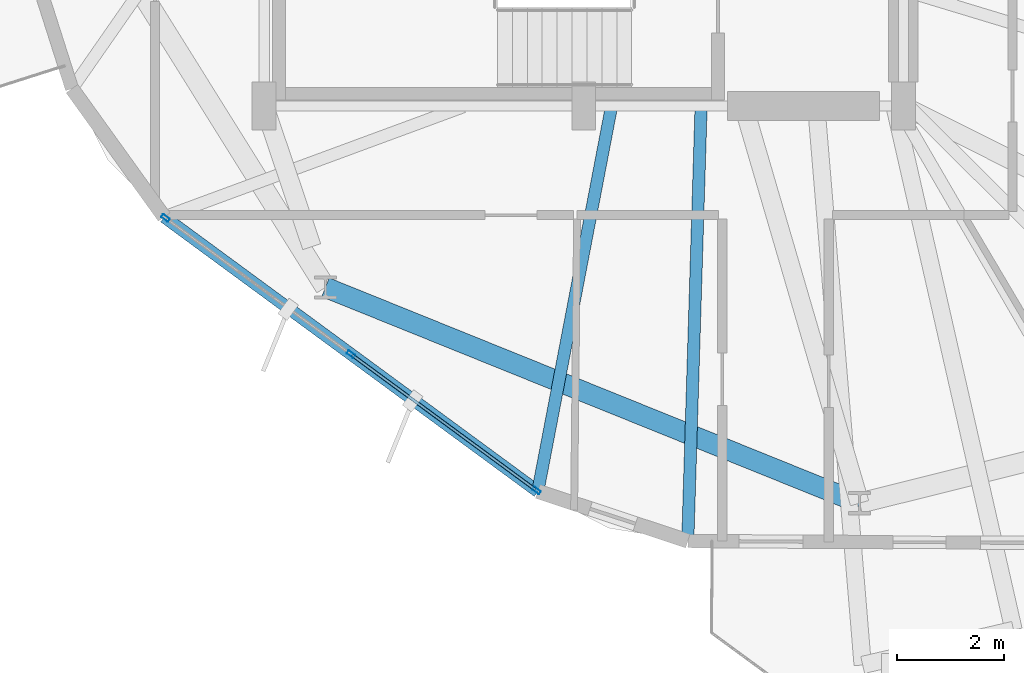
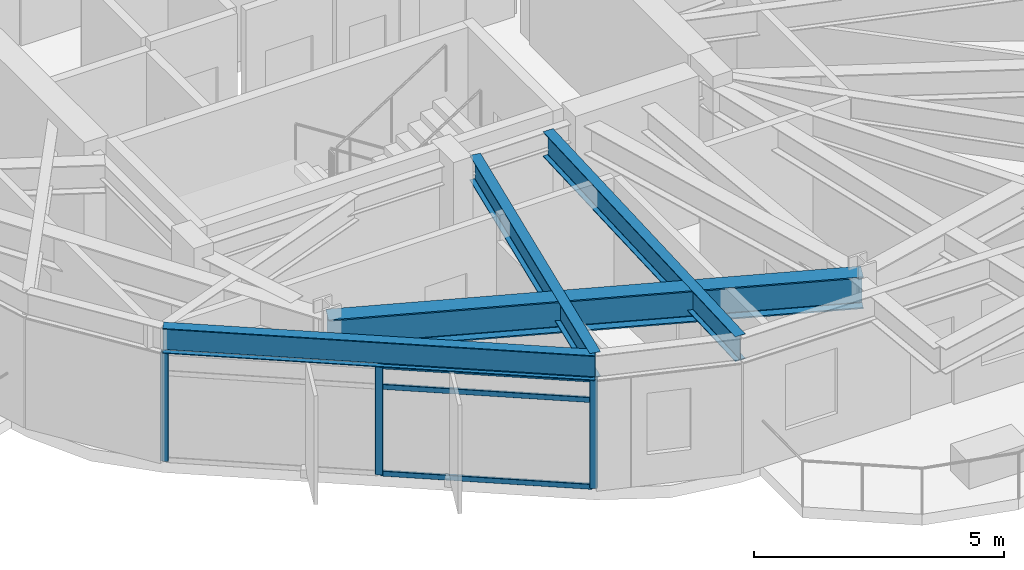
# One storey, part 2 of 24: 6 members, 4 beams, 1 element without a shape of its own.
"""IFC4 building model written with IfcOpenShell, lengths in metres."""

from ifc_helpers import new_model, si_unit, direction, frame, origin, origin_2d, place, context, subcontext, project, spatial, hollow_rectangle, i_section, extrude, material, layer, layer_set, material_profile, profile_set, type_object, element, aggregate, save


model = new_model("IFC4")

# Units and contexts
model_context = context("Model", 3, precision=1e-05, world=origin(), true_north=direction((0.0, 1.0)))
body_context = subcontext(model_context, "Body", "Model", "MODEL_VIEW")
ifc_project = project(units=[si_unit("LENGTHUNIT", "METRE"), si_unit("AREAUNIT", "SQUARE_METRE"), si_unit("VOLUMEUNIT", "CUBIC_METRE"), si_unit("PLANEANGLEUNIT", "RADIAN"), si_unit("MASSUNIT", "GRAM", prefix="KILO")], contexts=[model_context])

# Site, building, storey
site_placement = place(None, origin())
site = spatial("IfcSite", under=ifc_project, at=site_placement, CompositionType="ELEMENT")
building_placement = place(site_placement, origin())
building = spatial("IfcBuilding", under=site, at=building_placement, Name="Soratama Intermodal Tower", CompositionType="ELEMENT")
storey_placement = place(building_placement, frame((0.0, 0.0, 164.199951171875)))
storey = spatial("IfcBuildingStorey", under=building, at=storey_placement, Name="L40", CompositionType="ELEMENT", Elevation=164.199951171875)

# Beams
ifc_material_1 = material(Name="Structural steel ASTM A992 Grade 50", Category="steel")
ifc_material_profile_1 = material_profile(ifc_material_1, i_section(OverallWidth=0.382080078125, OverallDepth=0.779052734375, WebThickness=0.01806640625, FlangeThickness=0.030029296875, FilletRadius=0.01806640625, at=origin_2d()), Name="W30X191")
ifc_profile_set_1 = profile_set([ifc_material_profile_1], Name="Structural steel ASTM A992 Grade 50")
beam_type_1 = type_object("IfcBeamType", Name="BM-RING-W30X191", PredefinedType="BEAM", material=ifc_profile_set_1)
beam_1_placement = place(storey_placement, frame((33.7509765625, 11.593994140625, 2.91064453125), z_axis=(0.927202491827, -0.374560461275, 0.0), x_axis=(0.374560461275, 0.927202491827, 0.0)))
element("IfcBeam", 1, at=beam_1_placement, inside=storey, type_object=beam_type_1, Name="BM-L40-RING-07", PredefinedType="BEAM", context=body_context, shape_type="SweptSolid", body=[
    extrude(i_section(OverallWidth=0.382080078125, OverallDepth=0.779052734375, WebThickness=0.01806640625, FlangeThickness=0.030029296875, FilletRadius=0.01806640625, at=origin_2d()), origin(), (0.0, 0.0, 1.0), 10.8154296875),
])
ifc_material_2 = material(Name="Structural steel ASTM A992 Grade 50", Category="steel")
ifc_material_profile_2 = material_profile(ifc_material_2, i_section(OverallWidth=0.22900390625, OverallDepth=0.612060546875, WebThickness=0.011962890625, FlangeThickness=0.01953125, FilletRadius=0.012939453125, at=origin_2d()), Name="W24X84")
ifc_profile_set_2 = profile_set([ifc_material_profile_2], Name="Structural steel ASTM A992 Grade 50")
beam_type_2 = type_object("IfcBeamType", Name="BM-SPN-W24X84", PredefinedType="SPANDREL", material=ifc_profile_set_2)
beam_2_placement = place(storey_placement, frame((30.722900390625, 12.9150390625, 2.994140625), z_axis=(0.805891919161, -0.592062677958, 0.0), x_axis=(0.592062677958, 0.805891919161, 0.0)))
element("IfcBeam", 2, at=beam_2_placement, inside=storey, type_object=beam_type_2, Name="BS-L40-F06", PredefinedType="SPANDREL", context=body_context, shape_type="SweptSolid", body=[
    extrude(i_section(OverallWidth=0.22900390625, OverallDepth=0.612060546875, WebThickness=0.011962890625, FlangeThickness=0.01953125, FilletRadius=0.012939453125, at=origin_2d()), origin(), (0.0, 0.0, 1.0), 8.70361328125),
])
ifc_material_3 = material(Name="Structural steel ASTM A992 Grade 50", Category="steel")
ifc_material_profile_3 = material_profile(ifc_material_3, i_section(OverallWidth=0.22900390625, OverallDepth=0.612060546875, WebThickness=0.011962890625, FlangeThickness=0.01953125, FilletRadius=0.012939453125, at=origin_2d()), Name="W24X84")
ifc_profile_set_3 = profile_set([ifc_material_profile_3], Name="Structural steel ASTM A992 Grade 50")
beam_type_3 = type_object("IfcBeamType", Name="BM-TIE-W24X84", PredefinedType="BEAM", material=ifc_profile_set_3)
beam_3_placement = place(storey_placement, frame((39.115966796875, 14.9609375, 2.994140625), z_axis=(-0.188122173991, -0.982145634645, 0.0), x_axis=(0.982145634645, -0.188122173991, 0.0)))
element("IfcBeam", 3, at=beam_3_placement, inside=storey, type_object=beam_type_3, Name="BM-L40-TIE1-06", PredefinedType="BEAM", context=body_context, shape_type="SweptSolid", body=[
    extrude(i_section(OverallWidth=0.22900390625, OverallDepth=0.612060546875, WebThickness=0.011962890625, FlangeThickness=0.01953125, FilletRadius=0.012939453125, at=origin_2d()), origin(), (0.0, 0.0, 1.0), 7.329833984375),
])
beam_4_placement = place(storey_placement, frame((40.802001953125, 14.9599609375, 2.994140625), z_axis=(-0.030619945985, -0.99953109952, 0.0), x_axis=(0.99953109952, -0.030619945985, 0.0)))
element("IfcBeam", 4, at=beam_4_placement, inside=storey, type_object=beam_type_3, Name="BM-L40-TIE0-07", PredefinedType="BEAM", context=body_context, shape_type="SweptSolid", body=[
    extrude(i_section(OverallWidth=0.22900390625, OverallDepth=0.612060546875, WebThickness=0.011962890625, FlangeThickness=0.01953125, FilletRadius=0.012939453125, at=origin_2d()), origin(), (0.0, 0.0, 1.0), 8.1328125),
])

# Curtain wall, members
ifc_material_4 = material(Name="Double-glazed aluminium curtain wall", Category="aluminium")
ifc_layer = layer(ifc_material_4, 0.159912109375)
ifc_layer_set = layer_set([ifc_layer], Name="Double-glazed aluminium curtain wall")
curtain_wall_type = type_object("IfcCurtainWallType", Name="CW-SYS-4", PredefinedType="NOTDEFINED", material=ifc_layer_set)
curtain_wall_placement = place(storey_placement, origin())
curtain_wall = element("IfcCurtainWall", 5, at=curtain_wall_placement, inside=storey, type_object=curtain_wall_type, Name="L40 Faceted Curtain Wall F06", PredefinedType="NOTDEFINED")
ifc_material_5 = material(Name="Anodised aluminium AA 6063-T6", Category="aluminium")
ifc_material_profile_4 = material_profile(ifc_material_5, hollow_rectangle(XDim=0.070068359375, YDim=0.159912109375, WallThickness=0.0048828125, InnerFilletRadius=0.0048828125, OuterFilletRadius=0.010009765625, at=origin_2d()), Name="CWM160X70X5")
ifc_profile_set_4 = profile_set([ifc_material_profile_4], Name="Anodised aluminium AA 6063-T6")
member_type_1 = type_object("IfcMemberType", Name="MT-CWM-4", PredefinedType="MULLION", material=ifc_profile_set_4)
member_1_placement = place(storey_placement, frame((30.747314453125, 12.896728515625, 0.0), z_axis=(0.0, 0.0, 1.0), x_axis=(0.592015056017, 0.805926903291, 0.0)))
member_1 = element("IfcMember", 6, at=member_1_placement, type_object=member_type_1, Name="CW-4 mullion 1", PredefinedType="MULLION", context=body_context, shape_type="SweptSolid", body=[
    extrude(hollow_rectangle(XDim=0.070068359375, YDim=0.159912109375, WallThickness=0.0048828125, InnerFilletRadius=0.0048828125, OuterFilletRadius=0.010009765625, at=origin_2d()), origin(), (0.0, 0.0, 1.0), 2.678955078125),
])
member_2_placement = place(storey_placement, frame((34.22998046875, 10.33837890625, 0.0), z_axis=(0.0, 0.0, 1.0), x_axis=(0.592015056017, 0.805926903291, 0.0)))
member_2 = element("IfcMember", 7, at=member_2_placement, type_object=member_type_1, Name="CW-4 mullion 2", PredefinedType="MULLION", context=body_context, shape_type="SweptSolid", body=[
    extrude(hollow_rectangle(XDim=0.070068359375, YDim=0.159912109375, WallThickness=0.0048828125, InnerFilletRadius=0.0048828125, OuterFilletRadius=0.010009765625, at=origin_2d()), origin(), (0.0, 0.0, 1.0), 2.678955078125),
])
member_3_placement = place(storey_placement, frame((37.712646484375, 7.7802734375, 0.0), z_axis=(0.0, 0.0, 1.0), x_axis=(0.592015056017, 0.805926903291, 0.0)))
member_3 = element("IfcMember", 8, at=member_3_placement, type_object=member_type_1, Name="CW-4 mullion 3", PredefinedType="MULLION", context=body_context, shape_type="SweptSolid", body=[
    extrude(hollow_rectangle(XDim=0.070068359375, YDim=0.159912109375, WallThickness=0.0048828125, InnerFilletRadius=0.0048828125, OuterFilletRadius=0.010009765625, at=origin_2d()), origin(), (0.0, 0.0, 1.0), 2.678955078125),
])
ifc_material_6 = material(Name="Anodised aluminium AA 6063-T6", Category="aluminium")
ifc_material_profile_5 = material_profile(ifc_material_6, hollow_rectangle(XDim=0.06005859375, YDim=0.1298828125, WallThickness=0.0048828125, InnerFilletRadius=0.0048828125, OuterFilletRadius=0.010009765625, at=origin_2d()), Name="CWT130X60X5")
ifc_profile_set_5 = profile_set([ifc_material_profile_5], Name="Anodised aluminium AA 6063-T6")
member_type_2 = type_object("IfcMemberType", Name="TT-CWT-2", PredefinedType="USERDEFINED", material=ifc_profile_set_5)
member_4_placement = place(storey_placement, frame((34.254150390625, 10.32080078125, 0.030029296875), z_axis=(0.805907474375, -0.592041504243, 0.0), x_axis=(0.592041504243, 0.805907474375, 0.0)))
member_4 = element("IfcMember", 9, at=member_4_placement, type_object=member_type_2, Name="CW-4 transom 2.1", ObjectType="TRANSOM", PredefinedType="USERDEFINED", context=body_context, shape_type="SweptSolid", body=[
    extrude(hollow_rectangle(XDim=0.06005859375, YDim=0.1298828125, WallThickness=0.0048828125, InnerFilletRadius=0.0048828125, OuterFilletRadius=0.010009765625, at=origin_2d()), origin(), (0.0, 0.0, 1.0), 4.261474609375),
])
member_5_placement = place(storey_placement, frame((34.254150390625, 10.32080078125, 2.150146484375), z_axis=(0.805907474375, -0.592041504243, 0.0), x_axis=(0.592041504243, 0.805907474375, 0.0)))
member_5 = element("IfcMember", 10, at=member_5_placement, type_object=member_type_2, Name="CW-4 transom 2.2", ObjectType="TRANSOM", PredefinedType="USERDEFINED", context=body_context, shape_type="SweptSolid", body=[
    extrude(hollow_rectangle(XDim=0.06005859375, YDim=0.1298828125, WallThickness=0.0048828125, InnerFilletRadius=0.0048828125, OuterFilletRadius=0.010009765625, at=origin_2d()), origin(), (0.0, 0.0, 1.0), 4.261474609375),
])
member_6_placement = place(storey_placement, frame((34.254150390625, 10.32080078125, 2.649169921875), z_axis=(0.805907474375, -0.592041504243, 0.0), x_axis=(0.592041504243, 0.805907474375, 0.0)))
member_6 = element("IfcMember", 11, at=member_6_placement, type_object=member_type_2, Name="CW-4 transom 2.3", ObjectType="TRANSOM", PredefinedType="USERDEFINED", context=body_context, shape_type="SweptSolid", body=[
    extrude(hollow_rectangle(XDim=0.06005859375, YDim=0.1298828125, WallThickness=0.0048828125, InnerFilletRadius=0.0048828125, OuterFilletRadius=0.010009765625, at=origin_2d()), origin(), (0.0, 0.0, 1.0), 4.261474609375),
])
aggregate(curtain_wall, [member_1, member_2, member_3, member_4, member_5, member_6])

save(model, "model.ifc")
